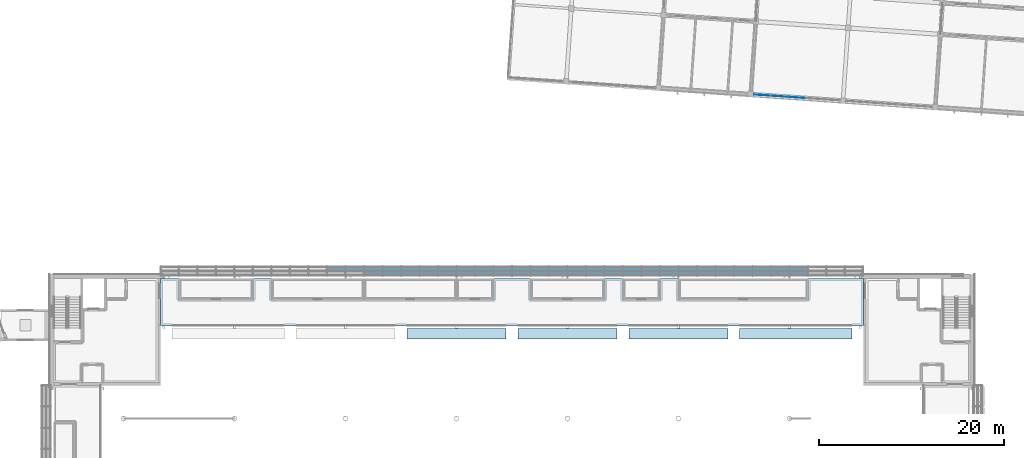
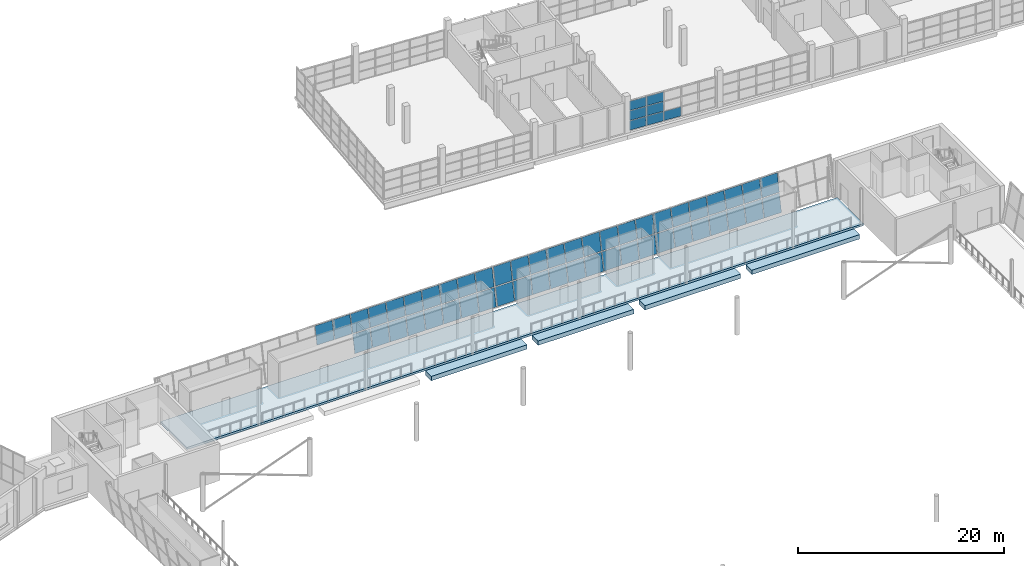
# One storey, part 53 of 115: 57 plates, 5 slabs, 3 elements without a shape of their own.
"""IFC4 building model written with IfcOpenShell, lengths in metres."""

from ifc_helpers import new_model, si_unit, direction, frame, origin, origin_2d, place, context, subcontext, project, spatial, polyline, rectangle, outline, extrude, material, layer, layer_set, type_object, element, aggregate, save


model = new_model("IFC4")

# Units and contexts
model_context = context("Model", 3, precision=1e-05, world=origin(), true_north=direction((0.0, 1.0)))
body_context = subcontext(model_context, "Body", "Model", "MODEL_VIEW")
ifc_project = project(units=[si_unit("LENGTHUNIT", "METRE"), si_unit("AREAUNIT", "SQUARE_METRE"), si_unit("VOLUMEUNIT", "CUBIC_METRE"), si_unit("PLANEANGLEUNIT", "RADIAN"), si_unit("MASSUNIT", "GRAM", prefix="KILO")], contexts=[model_context])

# Site, building, storey
site_placement = place(None, origin())
site = spatial("IfcSite", under=ifc_project, at=site_placement, CompositionType="ELEMENT")
building_placement = place(site_placement, origin())
building = spatial("IfcBuilding", under=site, at=building_placement, Name="Windward Yard Aquatics Centre", CompositionType="ELEMENT")
storey_placement = place(building_placement, frame((0.0, 0.0, 5.0)))
storey = spatial("IfcBuildingStorey", under=building, at=storey_placement, Name="L01", CompositionType="ELEMENT", Elevation=5.0)

# Slabs
ifc_material_1 = material(Name="Concrete C35/45", Category="concrete")
ifc_layer_1 = layer(ifc_material_1, 0.25)
ifc_layer_set_1 = layer_set([ifc_layer_1], Name="H concourse slab 250 C35/45")
slab_type_1 = type_object("IfcSlabType", Name="H concourse slab 250 C35/45", PredefinedType="FLOOR", material=ifc_layer_set_1)
slab_1_placement = place(storey_placement, frame((0.0, 0.0, -0.25)))
element("IfcSlab", 1, at=slab_1_placement, inside=storey, type_object=slab_type_1, Name="H.CS.N", PredefinedType="FLOOR", context=body_context, shape_type="SweptSolid", body=[
    extrude(outline(polyline([(64.0, 90.4404296875), (140.0, 90.4404296875), (140.0, 95.550048828125), (64.0, 95.550048828125), (64.0, 90.4404296875)])), origin(), (0.0, 0.0, 1.0), 0.25),
])
ifc_layer_2 = layer(ifc_material_1, 0.51611328125)
ifc_layer_set_2 = layer_set([ifc_layer_2], Name="H gangway slab 516 C35/45")
slab_type_2 = type_object("IfcSlabType", Name="H gangway slab 516 C35/45", PredefinedType="FLOOR", material=ifc_layer_set_2)
slab_2_placement = place(storey_placement, frame((0.0, 0.0, -0.51611328125)))
element("IfcSlab", 2, at=slab_2_placement, inside=storey, type_object=slab_type_2, Name="H.GW.N.3", PredefinedType="FLOOR", context=body_context, shape_type="SweptSolid", body=[
    extrude(outline(polyline([(90.625, 89.0), (101.375, 89.0), (101.375, 90.140380859375), (90.625, 90.140380859375), (90.625, 89.0)])), origin(), (0.0, 0.0, 1.0), 0.51611328125),
])
slab_3_placement = place(storey_placement, frame((0.0, 0.0, -0.51611328125)))
element("IfcSlab", 3, at=slab_3_placement, inside=storey, type_object=slab_type_2, Name="H.GW.N.4", PredefinedType="FLOOR", context=body_context, shape_type="SweptSolid", body=[
    extrude(outline(polyline([(102.625, 89.0), (113.375, 89.0), (113.375, 90.140380859375), (102.625, 90.140380859375), (102.625, 89.0)])), origin(), (0.0, 0.0, 1.0), 0.51611328125),
])
slab_4_placement = place(storey_placement, frame((0.0, 0.0, -0.51611328125)))
element("IfcSlab", 4, at=slab_4_placement, inside=storey, type_object=slab_type_2, Name="H.GW.N.5", PredefinedType="FLOOR", context=body_context, shape_type="SweptSolid", body=[
    extrude(outline(polyline([(114.625, 89.0), (125.375, 89.0), (125.375, 90.140380859375), (114.625, 90.140380859375), (114.625, 89.0)])), origin(), (0.0, 0.0, 1.0), 0.51611328125),
])
slab_5_placement = place(storey_placement, frame((0.0, 0.0, -0.51611328125)))
element("IfcSlab", 5, at=slab_5_placement, inside=storey, type_object=slab_type_2, Name="H.GW.N.6", PredefinedType="FLOOR", context=body_context, shape_type="SweptSolid", body=[
    extrude(outline(polyline([(126.625, 89.0), (138.75, 89.0), (138.75, 90.140380859375), (126.625, 90.140380859375), (126.625, 89.0)])), origin(), (0.0, 0.0, 1.0), 0.51611328125),
])

# Curtain wall, plates
ifc_material_2 = material(Name="Glass and aluminium curtain wall", Category="aluminium")
ifc_layer_3 = layer(ifc_material_2, 0.179931640625)
ifc_layer_set_3 = layer_set([ifc_layer_3], Name="H curtain wall tier 1 double glazed 8+16+8")
curtain_wall_type_1 = type_object("IfcCurtainWallType", Name="H curtain wall tier 1 double glazed 8+16+8", PredefinedType="NOTDEFINED", material=ifc_layer_set_3)
curtain_wall_1_placement = place(storey_placement, origin())
curtain_wall_1 = element("IfcCurtainWall", 6, at=curtain_wall_1_placement, inside=storey, type_object=curtain_wall_type_1, Name="Tier 1 glazing N L01", PredefinedType="NOTDEFINED")
ifc_material_3 = material(Name="Low-iron glass", Category="glass")
ifc_layer_4 = layer(ifc_material_3, 0.008, Name="Outer pane")
ifc_material_4 = material(Name="Argon-filled cavity")
ifc_layer_5 = layer(ifc_material_4, 0.016, Name="Cavity")
ifc_layer_6 = layer(ifc_material_3, 0.008, Name="Inner pane")
ifc_layer_set_4 = layer_set([ifc_layer_4, ifc_layer_5, ifc_layer_6], Name="H tier 1 glass low-e double glazed unit 32")
plate_type_1 = type_object("IfcPlateType", Name="H tier 1 glass low-e double glazed unit 32", PredefinedType="CURTAIN_PANEL", material=ifc_layer_set_4)
plate_1_placement = place(storey_placement, frame((82.030029296875, 96.35009765625, 2.252197265625), z_axis=(0.0, -0.979920842931, 0.199386914289), x_axis=(1.0, 0.0, 0.0)))
plate_1 = element("IfcPlate", 7, at=plate_1_placement, type_object=plate_type_1, Name="G1NA panel 10.2", PredefinedType="CURTAIN_PANEL", context=body_context, shape_type="SweptSolid", body=[
    extrude(outline(polyline([(0.0, 0.0), (1.934814, 0.0), (1.934814, 2.095045), (0.0, 2.095045), (0.0, 0.0)])), origin(), (0.0, 0.0, -1.0), 0.031982421875),
])
plate_2_placement = place(storey_placement, frame((84.02978515625, 96.35009765625, 2.252197265625), z_axis=(0.0, -0.979920842931, 0.199386914289), x_axis=(1.0, 0.0, 0.0)))
plate_2 = element("IfcPlate", 8, at=plate_2_placement, type_object=plate_type_1, Name="G1NA panel 11.2", PredefinedType="CURTAIN_PANEL", context=body_context, shape_type="SweptSolid", body=[
    extrude(outline(polyline([(0.0, 0.0), (1.934814, 0.0), (1.934814, 2.095045), (0.0, 2.095045), (0.0, 0.0)])), origin(), (0.0, 0.0, -1.0), 0.031982421875),
])
plate_3_placement = place(storey_placement, frame((86.029541015625, 95.913818359375, 0.107666015625), z_axis=(0.0, -0.979937049238, 0.19930724907), x_axis=(1.0, 0.0, 0.0)))
plate_3 = element("IfcPlate", 9, at=plate_3_placement, type_object=plate_type_1, Name="G1NA panel 12.1", PredefinedType="CURTAIN_PANEL", context=body_context, shape_type="SweptSolid", body=[
    extrude(outline(polyline([(0.0, 0.0), (1.934814, 0.0), (1.934814, 2.088533), (0.0, 2.088533), (0.0, 0.0)])), origin(), (0.0, 0.0, -1.0), 0.031982421875),
])
plate_4_placement = place(storey_placement, frame((86.029541015625, 96.35009765625, 2.252197265625), z_axis=(0.0, -0.979920842931, 0.199386914289), x_axis=(1.0, 0.0, 0.0)))
plate_4 = element("IfcPlate", 10, at=plate_4_placement, type_object=plate_type_1, Name="G1NA panel 12.2", PredefinedType="CURTAIN_PANEL", context=body_context, shape_type="SweptSolid", body=[
    extrude(outline(polyline([(0.0, 0.0), (1.934814, 0.0), (1.934814, 2.095045), (0.0, 2.095045), (0.0, 0.0)])), origin(), (0.0, 0.0, -1.0), 0.031982421875),
])
plate_5_placement = place(storey_placement, frame((88.029296875, 95.913818359375, 0.107666015625), z_axis=(0.0, -0.979937049238, 0.19930724907), x_axis=(1.0, 0.0, 0.0)))
plate_5 = element("IfcPlate", 11, at=plate_5_placement, type_object=plate_type_1, Name="G1NA panel 13.1", PredefinedType="CURTAIN_PANEL", context=body_context, shape_type="SweptSolid", body=[
    extrude(outline(polyline([(0.0, 0.0), (1.934814, 0.0), (1.934814, 2.088533), (0.0, 2.088533), (0.0, 0.0)])), origin(), (0.0, 0.0, -1.0), 0.031982421875),
])
plate_6_placement = place(storey_placement, frame((88.029296875, 96.35009765625, 2.252197265625), z_axis=(0.0, -0.979920842931, 0.199386914289), x_axis=(1.0, 0.0, 0.0)))
plate_6 = element("IfcPlate", 12, at=plate_6_placement, type_object=plate_type_1, Name="G1NA panel 13.2", PredefinedType="CURTAIN_PANEL", context=body_context, shape_type="SweptSolid", body=[
    extrude(outline(polyline([(0.0, 0.0), (1.934814, 0.0), (1.934814, 2.095045), (0.0, 2.095045), (0.0, 0.0)])), origin(), (0.0, 0.0, -1.0), 0.031982421875),
])
plate_7_placement = place(storey_placement, frame((90.029052734375, 95.913818359375, 0.107666015625), z_axis=(0.0, -0.979937049238, 0.19930724907), x_axis=(1.0, 0.0, 0.0)))
plate_7 = element("IfcPlate", 13, at=plate_7_placement, type_object=plate_type_1, Name="G1NA panel 14.1", PredefinedType="CURTAIN_PANEL", context=body_context, shape_type="SweptSolid", body=[
    extrude(outline(polyline([(0.0, 0.0), (1.934814, 0.0), (1.934814, 2.088533), (0.0, 2.088533), (0.0, 0.0)])), origin(), (0.0, 0.0, -1.0), 0.031982421875),
])
plate_8_placement = place(storey_placement, frame((90.029052734375, 96.35009765625, 2.252197265625), z_axis=(0.0, -0.979920842931, 0.199386914289), x_axis=(1.0, 0.0, 0.0)))
plate_8 = element("IfcPlate", 14, at=plate_8_placement, type_object=plate_type_1, Name="G1NA panel 14.2", PredefinedType="CURTAIN_PANEL", context=body_context, shape_type="SweptSolid", body=[
    extrude(outline(polyline([(0.0, 0.0), (1.934814, 0.0), (1.934814, 2.095045), (0.0, 2.095045), (0.0, 0.0)])), origin(), (0.0, 0.0, -1.0), 0.031982421875),
])
plate_9_placement = place(storey_placement, frame((92.02880859375, 95.913818359375, 0.107666015625), z_axis=(0.0, -0.979937049238, 0.19930724907), x_axis=(1.0, 0.0, 0.0)))
plate_9 = element("IfcPlate", 15, at=plate_9_placement, type_object=plate_type_1, Name="G1NA panel 15.1", PredefinedType="CURTAIN_PANEL", context=body_context, shape_type="SweptSolid", body=[
    extrude(outline(polyline([(0.0, 0.0), (1.934814, 0.0), (1.934814, 2.088533), (0.0, 2.088533), (0.0, 0.0)])), origin(), (0.0, 0.0, -1.0), 0.031982421875),
])
plate_10_placement = place(storey_placement, frame((92.02880859375, 96.35009765625, 2.252197265625), z_axis=(0.0, -0.979920842931, 0.199386914289), x_axis=(1.0, 0.0, 0.0)))
plate_10 = element("IfcPlate", 16, at=plate_10_placement, type_object=plate_type_1, Name="G1NA panel 15.2", PredefinedType="CURTAIN_PANEL", context=body_context, shape_type="SweptSolid", body=[
    extrude(outline(polyline([(0.0, 0.0), (1.934814, 0.0), (1.934814, 2.095045), (0.0, 2.095045), (0.0, 0.0)])), origin(), (0.0, 0.0, -1.0), 0.031982421875),
])
plate_11_placement = place(storey_placement, frame((94.028564453125, 95.913818359375, 0.107666015625), z_axis=(0.0, -0.979937049238, 0.19930724907), x_axis=(1.0, 0.0, 0.0)))
plate_11 = element("IfcPlate", 17, at=plate_11_placement, type_object=plate_type_1, Name="G1NA panel 16.1", PredefinedType="CURTAIN_PANEL", context=body_context, shape_type="SweptSolid", body=[
    extrude(outline(polyline([(0.0, 0.0), (1.934814, 0.0), (1.934814, 2.088533), (0.0, 2.088533), (0.0, 0.0)])), origin(), (0.0, 0.0, -1.0), 0.031982421875),
])
plate_12_placement = place(storey_placement, frame((94.028564453125, 96.35009765625, 2.252197265625), z_axis=(0.0, -0.979920842931, 0.199386914289), x_axis=(1.0, 0.0, 0.0)))
plate_12 = element("IfcPlate", 18, at=plate_12_placement, type_object=plate_type_1, Name="G1NA panel 16.2", PredefinedType="CURTAIN_PANEL", context=body_context, shape_type="SweptSolid", body=[
    extrude(outline(polyline([(0.0, 0.0), (1.934814, 0.0), (1.934814, 2.095045), (0.0, 2.095045), (0.0, 0.0)])), origin(), (0.0, 0.0, -1.0), 0.031982421875),
])
plate_13_placement = place(storey_placement, frame((96.0283203125, 95.913818359375, 0.107666015625), z_axis=(0.0, -0.979937049238, 0.19930724907), x_axis=(1.0, 0.0, 0.0)))
plate_13 = element("IfcPlate", 19, at=plate_13_placement, type_object=plate_type_1, Name="G1NA panel 17.1", PredefinedType="CURTAIN_PANEL", context=body_context, shape_type="SweptSolid", body=[
    extrude(outline(polyline([(0.0, 0.0), (1.934814, 0.0), (1.934814, 2.088533), (0.0, 2.088533), (0.0, 0.0)])), origin(), (0.0, 0.0, -1.0), 0.031982421875),
])
plate_14_placement = place(storey_placement, frame((96.0283203125, 96.35009765625, 2.252197265625), z_axis=(0.0, -0.979920842931, 0.199386914289), x_axis=(1.0, 0.0, 0.0)))
plate_14 = element("IfcPlate", 20, at=plate_14_placement, type_object=plate_type_1, Name="G1NA panel 17.2", PredefinedType="CURTAIN_PANEL", context=body_context, shape_type="SweptSolid", body=[
    extrude(outline(polyline([(0.0, 0.0), (1.934814, 0.0), (1.934814, 2.095045), (0.0, 2.095045), (0.0, 0.0)])), origin(), (0.0, 0.0, -1.0), 0.031982421875),
])
plate_15_placement = place(storey_placement, frame((98.028076171875, 95.913818359375, 0.107666015625), z_axis=(0.0, -0.979937049238, 0.19930724907), x_axis=(1.0, 0.0, 0.0)))
plate_15 = element("IfcPlate", 21, at=plate_15_placement, type_object=plate_type_1, Name="G1NA panel 18.1", PredefinedType="CURTAIN_PANEL", context=body_context, shape_type="SweptSolid", body=[
    extrude(outline(polyline([(0.0, 0.0), (1.93457, 0.0), (1.93457, 2.088533), (0.0, 2.088533), (0.0, 0.0)])), origin(), (0.0, 0.0, -1.0), 0.031982421875),
])
plate_16_placement = place(storey_placement, frame((98.028076171875, 96.35009765625, 2.252197265625), z_axis=(0.0, -0.979920842931, 0.199386914289), x_axis=(1.0, 0.0, 0.0)))
plate_16 = element("IfcPlate", 22, at=plate_16_placement, type_object=plate_type_1, Name="G1NA panel 18.2", PredefinedType="CURTAIN_PANEL", context=body_context, shape_type="SweptSolid", body=[
    extrude(outline(polyline([(0.0, 0.0), (1.93457, 0.0), (1.93457, 2.095045), (0.0, 2.095045), (0.0, 0.0)])), origin(), (0.0, 0.0, -1.0), 0.031982421875),
])
plate_17_placement = place(storey_placement, frame((100.02783203125, 95.913818359375, 0.107666015625), z_axis=(0.0, -0.979937049238, 0.19930724907), x_axis=(1.0, 0.0, 0.0)))
plate_17 = element("IfcPlate", 23, at=plate_17_placement, type_object=plate_type_1, Name="G1NA panel 19.1", PredefinedType="CURTAIN_PANEL", context=body_context, shape_type="SweptSolid", body=[
    extrude(outline(polyline([(0.0, 0.0), (1.9021, 0.0), (1.9021, 2.088533), (0.0, 2.088533), (0.0, 0.0)])), origin(), (0.0, 0.0, -1.0), 0.031982421875),
])
plate_18_placement = place(storey_placement, frame((100.02783203125, 96.35009765625, 2.252197265625), z_axis=(0.0, -0.979920842931, 0.199386914289), x_axis=(1.0, 0.0, 0.0)))
plate_18 = element("IfcPlate", 24, at=plate_18_placement, type_object=plate_type_1, Name="G1NA panel 19.2", PredefinedType="CURTAIN_PANEL", context=body_context, shape_type="SweptSolid", body=[
    extrude(outline(polyline([(0.0, 0.0), (1.9021, 0.0), (1.9021, 2.095045), (0.0, 2.095045), (0.0, 0.0)])), origin(), (0.0, 0.0, -1.0), 0.031982421875),
])
aggregate(curtain_wall_1, [plate_1, plate_2, plate_3, plate_4, plate_5, plate_6, plate_7, plate_8, plate_9, plate_10, plate_11, plate_12, plate_13, plate_14, plate_15, plate_16, plate_17, plate_18])

curtain_wall_2_placement = place(storey_placement, origin())
curtain_wall_2 = element("IfcCurtainWall", 25, at=curtain_wall_2_placement, inside=storey, type_object=curtain_wall_type_1, Name="Tier 1 glazing N L01", PredefinedType="NOTDEFINED")
plate_19_placement = place(storey_placement, frame((102.070068359375, 95.913818359375, 0.107666015625), z_axis=(0.0, -0.979937049238, 0.19930724907), x_axis=(1.0, 0.0, 0.0)))
plate_19 = element("IfcPlate", 26, at=plate_19_placement, type_object=plate_type_1, Name="G1NB panel 1.1", PredefinedType="CURTAIN_PANEL", context=body_context, shape_type="SweptSolid", body=[
    extrude(outline(polyline([(0.0, 0.0), (1.9021, 0.0), (1.9021, 2.088533), (0.0, 2.088533), (0.0, 0.0)])), origin(), (0.0, 0.0, -1.0), 0.031982421875),
])
plate_20_placement = place(storey_placement, frame((102.070068359375, 96.35009765625, 2.252197265625), z_axis=(0.0, -0.979920842931, 0.199386914289), x_axis=(1.0, 0.0, 0.0)))
plate_20 = element("IfcPlate", 27, at=plate_20_placement, type_object=plate_type_1, Name="G1NB panel 1.2", PredefinedType="CURTAIN_PANEL", context=body_context, shape_type="SweptSolid", body=[
    extrude(outline(polyline([(0.0, 0.0), (1.9021, 0.0), (1.9021, 2.095045), (0.0, 2.095045), (0.0, 0.0)])), origin(), (0.0, 0.0, -1.0), 0.031982421875),
])
plate_21_placement = place(storey_placement, frame((104.037353515625, 95.913818359375, 0.107666015625), z_axis=(0.0, -0.979937049238, 0.19930724907), x_axis=(1.0, 0.0, 0.0)))
plate_21 = element("IfcPlate", 28, at=plate_21_placement, type_object=plate_type_1, Name="G1NB panel 2.1", PredefinedType="CURTAIN_PANEL", context=body_context, shape_type="SweptSolid", body=[
    extrude(outline(polyline([(0.0, 0.0), (1.93457, 0.0), (1.93457, 2.088533), (0.0, 2.088533), (0.0, 0.0)])), origin(), (0.0, 0.0, -1.0), 0.031982421875),
])
plate_22_placement = place(storey_placement, frame((104.037353515625, 96.35009765625, 2.252197265625), z_axis=(0.0, -0.979920842931, 0.199386914289), x_axis=(1.0, 0.0, 0.0)))
plate_22 = element("IfcPlate", 29, at=plate_22_placement, type_object=plate_type_1, Name="G1NB panel 2.2", PredefinedType="CURTAIN_PANEL", context=body_context, shape_type="SweptSolid", body=[
    extrude(outline(polyline([(0.0, 0.0), (1.93457, 0.0), (1.93457, 2.095045), (0.0, 2.095045), (0.0, 0.0)])), origin(), (0.0, 0.0, -1.0), 0.031982421875),
])
plate_23_placement = place(storey_placement, frame((106.036865234375, 95.913818359375, 0.107666015625), z_axis=(0.0, -0.979937049238, 0.19930724907), x_axis=(1.0, 0.0, 0.0)))
plate_23 = element("IfcPlate", 30, at=plate_23_placement, type_object=plate_type_1, Name="G1NB panel 3.1", PredefinedType="CURTAIN_PANEL", context=body_context, shape_type="SweptSolid", body=[
    extrude(outline(polyline([(0.0, 0.0), (1.934814, 0.0), (1.934814, 2.088533), (0.0, 2.088533), (0.0, 0.0)])), origin(), (0.0, 0.0, -1.0), 0.031982421875),
])
plate_24_placement = place(storey_placement, frame((106.036865234375, 96.35009765625, 2.252197265625), z_axis=(0.0, -0.979920842931, 0.199386914289), x_axis=(1.0, 0.0, 0.0)))
plate_24 = element("IfcPlate", 31, at=plate_24_placement, type_object=plate_type_1, Name="G1NB panel 3.2", PredefinedType="CURTAIN_PANEL", context=body_context, shape_type="SweptSolid", body=[
    extrude(outline(polyline([(0.0, 0.0), (1.934814, 0.0), (1.934814, 2.095045), (0.0, 2.095045), (0.0, 0.0)])), origin(), (0.0, 0.0, -1.0), 0.031982421875),
])
plate_25_placement = place(storey_placement, frame((108.03662109375, 95.913818359375, 0.107666015625), z_axis=(0.0, -0.979937049238, 0.19930724907), x_axis=(1.0, 0.0, 0.0)))
plate_25 = element("IfcPlate", 32, at=plate_25_placement, type_object=plate_type_1, Name="G1NB panel 4.1", PredefinedType="CURTAIN_PANEL", context=body_context, shape_type="SweptSolid", body=[
    extrude(outline(polyline([(0.0, 0.0), (1.934814, 0.0), (1.934814, 2.088533), (0.0, 2.088533), (0.0, 0.0)])), origin(), (0.0, 0.0, -1.0), 0.031982421875),
])
plate_26_placement = place(storey_placement, frame((108.03662109375, 96.35009765625, 2.252197265625), z_axis=(0.0, -0.979920842931, 0.199386914289), x_axis=(1.0, 0.0, 0.0)))
plate_26 = element("IfcPlate", 33, at=plate_26_placement, type_object=plate_type_1, Name="G1NB panel 4.2", PredefinedType="CURTAIN_PANEL", context=body_context, shape_type="SweptSolid", body=[
    extrude(outline(polyline([(0.0, 0.0), (1.934814, 0.0), (1.934814, 2.095045), (0.0, 2.095045), (0.0, 0.0)])), origin(), (0.0, 0.0, -1.0), 0.031982421875),
])
plate_27_placement = place(storey_placement, frame((110.036376953125, 95.913818359375, 0.107666015625), z_axis=(0.0, -0.979937049238, 0.19930724907), x_axis=(1.0, 0.0, 0.0)))
plate_27 = element("IfcPlate", 34, at=plate_27_placement, type_object=plate_type_1, Name="G1NB panel 5.1", PredefinedType="CURTAIN_PANEL", context=body_context, shape_type="SweptSolid", body=[
    extrude(outline(polyline([(0.0, 0.0), (1.934814, 0.0), (1.934814, 2.088533), (0.0, 2.088533), (0.0, 0.0)])), origin(), (0.0, 0.0, -1.0), 0.031982421875),
])
plate_28_placement = place(storey_placement, frame((110.036376953125, 96.35009765625, 2.252197265625), z_axis=(0.0, -0.979920842931, 0.199386914289), x_axis=(1.0, 0.0, 0.0)))
plate_28 = element("IfcPlate", 35, at=plate_28_placement, type_object=plate_type_1, Name="G1NB panel 5.2", PredefinedType="CURTAIN_PANEL", context=body_context, shape_type="SweptSolid", body=[
    extrude(outline(polyline([(0.0, 0.0), (1.934814, 0.0), (1.934814, 2.095045), (0.0, 2.095045), (0.0, 0.0)])), origin(), (0.0, 0.0, -1.0), 0.031982421875),
])
plate_29_placement = place(storey_placement, frame((112.0361328125, 95.913818359375, 0.107666015625), z_axis=(0.0, -0.979937049238, 0.19930724907), x_axis=(1.0, 0.0, 0.0)))
plate_29 = element("IfcPlate", 36, at=plate_29_placement, type_object=plate_type_1, Name="G1NB panel 6.1", PredefinedType="CURTAIN_PANEL", context=body_context, shape_type="SweptSolid", body=[
    extrude(outline(polyline([(0.0, 0.0), (1.934814, 0.0), (1.934814, 2.088533), (0.0, 2.088533), (0.0, 0.0)])), origin(), (0.0, 0.0, -1.0), 0.031982421875),
])
plate_30_placement = place(storey_placement, frame((112.0361328125, 96.35009765625, 2.252197265625), z_axis=(0.0, -0.979920842931, 0.199386914289), x_axis=(1.0, 0.0, 0.0)))
plate_30 = element("IfcPlate", 37, at=plate_30_placement, type_object=plate_type_1, Name="G1NB panel 6.2", PredefinedType="CURTAIN_PANEL", context=body_context, shape_type="SweptSolid", body=[
    extrude(outline(polyline([(0.0, 0.0), (1.934814, 0.0), (1.934814, 2.095045), (0.0, 2.095045), (0.0, 0.0)])), origin(), (0.0, 0.0, -1.0), 0.031982421875),
])
plate_31_placement = place(storey_placement, frame((114.035888671875, 95.913818359375, 0.107666015625), z_axis=(0.0, -0.979937049238, 0.19930724907), x_axis=(1.0, 0.0, 0.0)))
plate_31 = element("IfcPlate", 38, at=plate_31_placement, type_object=plate_type_1, Name="G1NB panel 7.1", PredefinedType="CURTAIN_PANEL", context=body_context, shape_type="SweptSolid", body=[
    extrude(outline(polyline([(0.0, 0.0), (1.934814, 0.0), (1.934814, 2.088533), (0.0, 2.088533), (0.0, 0.0)])), origin(), (0.0, 0.0, -1.0), 0.031982421875),
])
plate_32_placement = place(storey_placement, frame((114.035888671875, 96.35009765625, 2.252197265625), z_axis=(0.0, -0.979920842931, 0.199386914289), x_axis=(1.0, 0.0, 0.0)))
plate_32 = element("IfcPlate", 39, at=plate_32_placement, type_object=plate_type_1, Name="G1NB panel 7.2", PredefinedType="CURTAIN_PANEL", context=body_context, shape_type="SweptSolid", body=[
    extrude(outline(polyline([(0.0, 0.0), (1.934814, 0.0), (1.934814, 2.095045), (0.0, 2.095045), (0.0, 0.0)])), origin(), (0.0, 0.0, -1.0), 0.031982421875),
])
plate_33_placement = place(storey_placement, frame((116.03564453125, 95.913818359375, 0.107666015625), z_axis=(0.0, -0.979937049238, 0.19930724907), x_axis=(1.0, 0.0, 0.0)))
plate_33 = element("IfcPlate", 40, at=plate_33_placement, type_object=plate_type_1, Name="G1NB panel 8.1", PredefinedType="CURTAIN_PANEL", context=body_context, shape_type="SweptSolid", body=[
    extrude(outline(polyline([(0.0, 0.0), (1.934814, 0.0), (1.934814, 2.088533), (0.0, 2.088533), (0.0, 0.0)])), origin(), (0.0, 0.0, -1.0), 0.031982421875),
])
plate_34_placement = place(storey_placement, frame((116.03564453125, 96.35009765625, 2.252197265625), z_axis=(0.0, -0.979920842931, 0.199386914289), x_axis=(1.0, 0.0, 0.0)))
plate_34 = element("IfcPlate", 41, at=plate_34_placement, type_object=plate_type_1, Name="G1NB panel 8.2", PredefinedType="CURTAIN_PANEL", context=body_context, shape_type="SweptSolid", body=[
    extrude(outline(polyline([(0.0, 0.0), (1.934814, 0.0), (1.934814, 2.095045), (0.0, 2.095045), (0.0, 0.0)])), origin(), (0.0, 0.0, -1.0), 0.031982421875),
])
plate_35_placement = place(storey_placement, frame((118.035400390625, 95.913818359375, 0.107666015625), z_axis=(0.0, -0.979937049238, 0.19930724907), x_axis=(1.0, 0.0, 0.0)))
plate_35 = element("IfcPlate", 42, at=plate_35_placement, type_object=plate_type_1, Name="G1NB panel 9.1", PredefinedType="CURTAIN_PANEL", context=body_context, shape_type="SweptSolid", body=[
    extrude(outline(polyline([(0.0, 0.0), (1.934814, 0.0), (1.934814, 2.088533), (0.0, 2.088533), (0.0, 0.0)])), origin(), (0.0, 0.0, -1.0), 0.031982421875),
])
plate_36_placement = place(storey_placement, frame((118.035400390625, 96.35009765625, 2.252197265625), z_axis=(0.0, -0.979920842931, 0.199386914289), x_axis=(1.0, 0.0, 0.0)))
plate_36 = element("IfcPlate", 43, at=plate_36_placement, type_object=plate_type_1, Name="G1NB panel 9.2", PredefinedType="CURTAIN_PANEL", context=body_context, shape_type="SweptSolid", body=[
    extrude(outline(polyline([(0.0, 0.0), (1.934814, 0.0), (1.934814, 2.095045), (0.0, 2.095045), (0.0, 0.0)])), origin(), (0.0, 0.0, -1.0), 0.031982421875),
])
plate_37_placement = place(storey_placement, frame((120.03515625, 95.913818359375, 0.107666015625), z_axis=(0.0, -0.979937049238, 0.19930724907), x_axis=(1.0, 0.0, 0.0)))
plate_37 = element("IfcPlate", 44, at=plate_37_placement, type_object=plate_type_1, Name="G1NB panel 10.1", PredefinedType="CURTAIN_PANEL", context=body_context, shape_type="SweptSolid", body=[
    extrude(outline(polyline([(0.0, 0.0), (1.934814, 0.0), (1.934814, 2.088533), (0.0, 2.088533), (0.0, 0.0)])), origin(), (0.0, 0.0, -1.0), 0.031982421875),
])
plate_38_placement = place(storey_placement, frame((120.03515625, 96.35009765625, 2.252197265625), z_axis=(0.0, -0.979920842931, 0.199386914289), x_axis=(1.0, 0.0, 0.0)))
plate_38 = element("IfcPlate", 45, at=plate_38_placement, type_object=plate_type_1, Name="G1NB panel 10.2", PredefinedType="CURTAIN_PANEL", context=body_context, shape_type="SweptSolid", body=[
    extrude(outline(polyline([(0.0, 0.0), (1.934814, 0.0), (1.934814, 2.095045), (0.0, 2.095045), (0.0, 0.0)])), origin(), (0.0, 0.0, -1.0), 0.031982421875),
])
plate_39_placement = place(storey_placement, frame((122.034912109375, 95.913818359375, 0.107666015625), z_axis=(0.0, -0.979937049238, 0.19930724907), x_axis=(1.0, 0.0, 0.0)))
plate_39 = element("IfcPlate", 46, at=plate_39_placement, type_object=plate_type_1, Name="G1NB panel 11.1", PredefinedType="CURTAIN_PANEL", context=body_context, shape_type="SweptSolid", body=[
    extrude(outline(polyline([(0.0, 0.0), (1.934814, 0.0), (1.934814, 2.088533), (0.0, 2.088533), (0.0, 0.0)])), origin(), (0.0, 0.0, -1.0), 0.031982421875),
])
plate_40_placement = place(storey_placement, frame((122.034912109375, 96.35009765625, 2.252197265625), z_axis=(0.0, -0.979920842931, 0.199386914289), x_axis=(1.0, 0.0, 0.0)))
plate_40 = element("IfcPlate", 47, at=plate_40_placement, type_object=plate_type_1, Name="G1NB panel 11.2", PredefinedType="CURTAIN_PANEL", context=body_context, shape_type="SweptSolid", body=[
    extrude(outline(polyline([(0.0, 0.0), (1.934814, 0.0), (1.934814, 2.095045), (0.0, 2.095045), (0.0, 0.0)])), origin(), (0.0, 0.0, -1.0), 0.031982421875),
])
plate_41_placement = place(storey_placement, frame((124.03466796875, 95.913818359375, 0.107666015625), z_axis=(0.0, -0.979937049238, 0.19930724907), x_axis=(1.0, 0.0, 0.0)))
plate_41 = element("IfcPlate", 48, at=plate_41_placement, type_object=plate_type_1, Name="G1NB panel 12.1", PredefinedType="CURTAIN_PANEL", context=body_context, shape_type="SweptSolid", body=[
    extrude(outline(polyline([(0.0, 0.0), (1.93457, 0.0), (1.93457, 2.088533), (0.0, 2.088533), (0.0, 0.0)])), origin(), (0.0, 0.0, -1.0), 0.031982421875),
])
plate_42_placement = place(storey_placement, frame((124.03466796875, 96.35009765625, 2.252197265625), z_axis=(0.0, -0.979920842931, 0.199386914289), x_axis=(1.0, 0.0, 0.0)))
plate_42 = element("IfcPlate", 49, at=plate_42_placement, type_object=plate_type_1, Name="G1NB panel 12.2", PredefinedType="CURTAIN_PANEL", context=body_context, shape_type="SweptSolid", body=[
    extrude(outline(polyline([(0.0, 0.0), (1.93457, 0.0), (1.93457, 2.095045), (0.0, 2.095045), (0.0, 0.0)])), origin(), (0.0, 0.0, -1.0), 0.031982421875),
])
plate_43_placement = place(storey_placement, frame((126.034423828125, 95.913818359375, 0.107666015625), z_axis=(0.0, -0.979937049238, 0.19930724907), x_axis=(1.0, 0.0, 0.0)))
plate_43 = element("IfcPlate", 50, at=plate_43_placement, type_object=plate_type_1, Name="G1NB panel 13.1", PredefinedType="CURTAIN_PANEL", context=body_context, shape_type="SweptSolid", body=[
    extrude(outline(polyline([(0.0, 0.0), (1.93457, 0.0), (1.93457, 2.088533), (0.0, 2.088533), (0.0, 0.0)])), origin(), (0.0, 0.0, -1.0), 0.031982421875),
])
plate_44_placement = place(storey_placement, frame((126.034423828125, 96.35009765625, 2.252197265625), z_axis=(0.0, -0.979920842931, 0.199386914289), x_axis=(1.0, 0.0, 0.0)))
plate_44 = element("IfcPlate", 51, at=plate_44_placement, type_object=plate_type_1, Name="G1NB panel 13.2", PredefinedType="CURTAIN_PANEL", context=body_context, shape_type="SweptSolid", body=[
    extrude(outline(polyline([(0.0, 0.0), (1.93457, 0.0), (1.93457, 2.095045), (0.0, 2.095045), (0.0, 0.0)])), origin(), (0.0, 0.0, -1.0), 0.031982421875),
])
plate_45_placement = place(storey_placement, frame((128.0341796875, 95.913818359375, 0.107666015625), z_axis=(0.0, -0.979937049238, 0.19930724907), x_axis=(1.0, 0.0, 0.0)))
plate_45 = element("IfcPlate", 52, at=plate_45_placement, type_object=plate_type_1, Name="G1NB panel 14.1", PredefinedType="CURTAIN_PANEL", context=body_context, shape_type="SweptSolid", body=[
    extrude(outline(polyline([(0.0, 0.0), (1.93457, 0.0), (1.93457, 2.088533), (0.0, 2.088533), (0.0, 0.0)])), origin(), (0.0, 0.0, -1.0), 0.031982421875),
])
plate_46_placement = place(storey_placement, frame((128.0341796875, 96.35009765625, 2.252197265625), z_axis=(0.0, -0.979920842931, 0.199386914289), x_axis=(1.0, 0.0, 0.0)))
plate_46 = element("IfcPlate", 53, at=plate_46_placement, type_object=plate_type_1, Name="G1NB panel 14.2", PredefinedType="CURTAIN_PANEL", context=body_context, shape_type="SweptSolid", body=[
    extrude(outline(polyline([(0.0, 0.0), (1.93457, 0.0), (1.93457, 2.095045), (0.0, 2.095045), (0.0, 0.0)])), origin(), (0.0, 0.0, -1.0), 0.031982421875),
])
plate_47_placement = place(storey_placement, frame((130.033935546875, 95.913818359375, 0.107666015625), z_axis=(0.0, -0.979937049238, 0.19930724907), x_axis=(1.0, 0.0, 0.0)))
plate_47 = element("IfcPlate", 54, at=plate_47_placement, type_object=plate_type_1, Name="G1NB panel 15.1", PredefinedType="CURTAIN_PANEL", context=body_context, shape_type="SweptSolid", body=[
    extrude(outline(polyline([(0.0, 0.0), (1.93457, 0.0), (1.93457, 2.088533), (0.0, 2.088533), (0.0, 0.0)])), origin(), (0.0, 0.0, -1.0), 0.031982421875),
])
plate_48_placement = place(storey_placement, frame((130.033935546875, 96.35009765625, 2.252197265625), z_axis=(0.0, -0.979920842931, 0.199386914289), x_axis=(1.0, 0.0, 0.0)))
plate_48 = element("IfcPlate", 55, at=plate_48_placement, type_object=plate_type_1, Name="G1NB panel 15.2", PredefinedType="CURTAIN_PANEL", context=body_context, shape_type="SweptSolid", body=[
    extrude(outline(polyline([(0.0, 0.0), (1.93457, 0.0), (1.93457, 2.095045), (0.0, 2.095045), (0.0, 0.0)])), origin(), (0.0, 0.0, -1.0), 0.031982421875),
])
plate_49_placement = place(storey_placement, frame((132.033447265625, 95.913818359375, 0.107666015625), z_axis=(0.0, -0.979937049238, 0.19930724907), x_axis=(1.0, 0.0, 0.0)))
plate_49 = element("IfcPlate", 56, at=plate_49_placement, type_object=plate_type_1, Name="G1NB panel 16.1", PredefinedType="CURTAIN_PANEL", context=body_context, shape_type="SweptSolid", body=[
    extrude(outline(polyline([(0.0, 0.0), (1.934814, 0.0), (1.934814, 2.088533), (0.0, 2.088533), (0.0, 0.0)])), origin(), (0.0, 0.0, -1.0), 0.031982421875),
])
plate_50_placement = place(storey_placement, frame((132.033447265625, 96.35009765625, 2.252197265625), z_axis=(0.0, -0.979920842931, 0.199386914289), x_axis=(1.0, 0.0, 0.0)))
plate_50 = element("IfcPlate", 57, at=plate_50_placement, type_object=plate_type_1, Name="G1NB panel 16.2", PredefinedType="CURTAIN_PANEL", context=body_context, shape_type="SweptSolid", body=[
    extrude(outline(polyline([(0.0, 0.0), (1.934814, 0.0), (1.934814, 2.095045), (0.0, 2.095045), (0.0, 0.0)])), origin(), (0.0, 0.0, -1.0), 0.031982421875),
])
aggregate(curtain_wall_2, [plate_19, plate_20, plate_21, plate_22, plate_23, plate_24, plate_25, plate_26, plate_27, plate_28, plate_29, plate_30, plate_31, plate_32, plate_33, plate_34, plate_35, plate_36, plate_37, plate_38, plate_39, plate_40, plate_41, plate_42, plate_43, plate_44, plate_45, plate_46, plate_47, plate_48, plate_49, plate_50])

ifc_material_5 = material(Name="Aluminium curtain wall system", Category="aluminium")
curtain_wall_type_2 = type_object("IfcCurtainWallType", Name="W curtain wall 1900", PredefinedType="NOTDEFINED", material=ifc_material_5)
curtain_wall_3_placement = place(storey_placement, origin())
curtain_wall_3 = element("IfcCurtainWall", 58, at=curtain_wall_3_placement, inside=storey, type_object=curtain_wall_type_2, Name="Wing south glazing L01 3", PredefinedType="NOTDEFINED")
ifc_material_6 = material(Name="Double glazed unit")
ifc_layer_7 = layer(ifc_material_6, 0.028076171875)
ifc_layer_set_5 = layer_set([ifc_layer_7], Name="W CW panel IGU 28")
plate_type_2 = type_object("IfcPlateType", Name="W CW panel IGU 28", PredefinedType="CURTAIN_PANEL", material=ifc_layer_set_5)
plate_51_placement = place(storey_placement, frame((129.06640625, 115.38232421875, 0.06005859375), z_axis=(0.0, 0.0, 1.0), x_axis=(0.997564129531, -0.069755340111, 0.0)))
plate_51 = element("IfcPlate", 59, at=plate_51_placement, type_object=plate_type_2, Name="WCW1 panel 1.1", PredefinedType="CURTAIN_PANEL", context=body_context, shape_type="SweptSolid", body=[
    extrude(rectangle(XDim=1.7900390625, YDim=0.028076171875, at=origin_2d()), origin(), (0.0, 0.0, 1.0), 1.10009765625),
])
plate_52_placement = place(storey_placement, frame((129.06640625, 115.38232421875, 1.219970703125), z_axis=(0.0, 0.0, 1.0), x_axis=(0.997564129531, -0.069755340111, 0.0)))
plate_52 = element("IfcPlate", 60, at=plate_52_placement, type_object=plate_type_2, Name="WCW1 panel 1.2", PredefinedType="CURTAIN_PANEL", context=body_context, shape_type="SweptSolid", body=[
    extrude(rectangle(XDim=1.7900390625, YDim=0.028076171875, at=origin_2d()), origin(), (0.0, 0.0, 1.0), 1.1298828125),
])
plate_53_placement = place(storey_placement, frame((129.06640625, 115.38232421875, 2.409912109375), z_axis=(0.0, 0.0, 1.0), x_axis=(0.997564129531, -0.069755340111, 0.0)))
plate_53 = element("IfcPlate", 61, at=plate_53_placement, type_object=plate_type_2, Name="WCW1 panel 1.3", PredefinedType="CURTAIN_PANEL", context=body_context, shape_type="SweptSolid", body=[
    extrude(rectangle(XDim=1.7900390625, YDim=0.028076171875, at=origin_2d()), origin(), (0.0, 0.0, 1.0), 1.10009765625),
])
plate_54_placement = place(storey_placement, frame((130.927001953125, 115.252197265625, 0.06005859375), z_axis=(0.0, 0.0, 1.0), x_axis=(0.997564129531, -0.069755340111, 0.0)))
plate_54 = element("IfcPlate", 62, at=plate_54_placement, type_object=plate_type_2, Name="WCW1 panel 2.1", PredefinedType="CURTAIN_PANEL", context=body_context, shape_type="SweptSolid", body=[
    extrude(rectangle(XDim=1.820068359375, YDim=0.028076171875, at=origin_2d()), origin(), (0.0, 0.0, 1.0), 1.10009765625),
])
plate_55_placement = place(storey_placement, frame((130.927001953125, 115.252197265625, 1.219970703125), z_axis=(0.0, 0.0, 1.0), x_axis=(0.997564129531, -0.069755340111, 0.0)))
plate_55 = element("IfcPlate", 63, at=plate_55_placement, type_object=plate_type_2, Name="WCW1 panel 2.2", PredefinedType="CURTAIN_PANEL", context=body_context, shape_type="SweptSolid", body=[
    extrude(rectangle(XDim=1.820068359375, YDim=0.028076171875, at=origin_2d()), origin(), (0.0, 0.0, 1.0), 1.1298828125),
])
plate_56_placement = place(storey_placement, frame((130.927001953125, 115.252197265625, 2.409912109375), z_axis=(0.0, 0.0, 1.0), x_axis=(0.997564129531, -0.069755340111, 0.0)))
plate_56 = element("IfcPlate", 64, at=plate_56_placement, type_object=plate_type_2, Name="WCW1 panel 2.3", PredefinedType="CURTAIN_PANEL", context=body_context, shape_type="SweptSolid", body=[
    extrude(rectangle(XDim=1.820068359375, YDim=0.028076171875, at=origin_2d()), origin(), (0.0, 0.0, 1.0), 1.10009765625),
])
plate_57_placement = place(storey_placement, frame((132.80224609375, 115.12109375, 0.06005859375), z_axis=(0.0, 0.0, 1.0), x_axis=(0.997564129531, -0.069755340111, 0.0)))
plate_57 = element("IfcPlate", 65, at=plate_57_placement, type_object=plate_type_2, Name="WCW1 panel 3.1", PredefinedType="CURTAIN_PANEL", context=body_context, shape_type="SweptSolid", body=[
    extrude(rectangle(XDim=1.820068359375, YDim=0.028076171875, at=origin_2d()), origin(), (0.0, 0.0, 1.0), 1.10009765625),
])
aggregate(curtain_wall_3, [plate_51, plate_52, plate_53, plate_54, plate_55, plate_56, plate_57])

save(model, "model.ifc")
